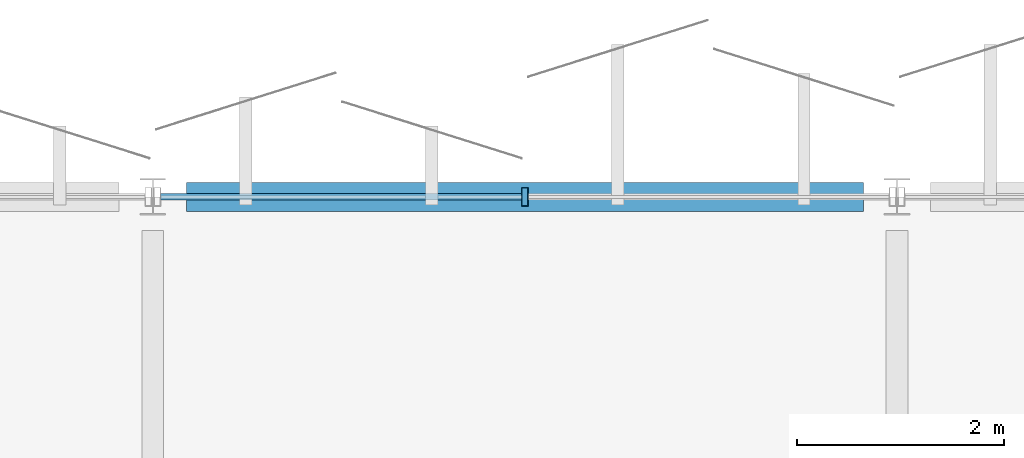
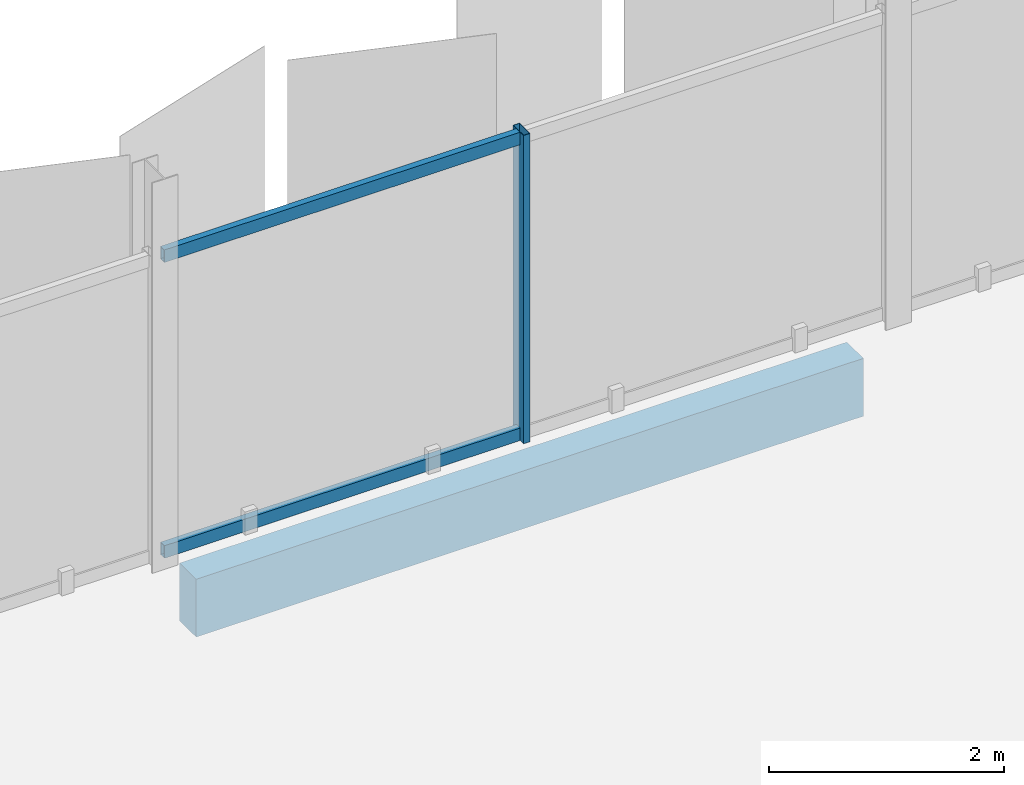
# One storey, part 35 of 91: 3 members, 1 beam, 1 element without a shape of its own.
"""IFC4 building model written with IfcOpenShell, lengths in metres."""

from ifc_helpers import new_model, si_unit, direction, frame, origin, origin_2d, place, context, subcontext, project, spatial, rectangle, hollow_rectangle, extrude, material, layer, layer_set, material_profile, profile_set, type_object, element, aggregate, save


model = new_model("IFC4")

# Units and contexts
model_context = context("Model", 3, precision=1e-05, world=origin(), true_north=direction((0.0, 1.0)))
body_context = subcontext(model_context, "Body", "Model", "MODEL_VIEW")
ifc_project = project(units=[si_unit("LENGTHUNIT", "METRE"), si_unit("AREAUNIT", "SQUARE_METRE"), si_unit("VOLUMEUNIT", "CUBIC_METRE"), si_unit("PLANEANGLEUNIT", "RADIAN"), si_unit("MASSUNIT", "GRAM", prefix="KILO")], contexts=[model_context])

# Site, building, storey
site_placement = place(None, origin())
site = spatial("IfcSite", under=ifc_project, at=site_placement, CompositionType="ELEMENT")
building_placement = place(site_placement, origin())
building = spatial("IfcBuilding", under=site, at=building_placement, Name="Kangsadwip Square Police Headquarters", CompositionType="ELEMENT")
storey_placement = place(building_placement, frame((0.0, 0.0, 13.5)))
storey = spatial("IfcBuildingStorey", under=building, at=storey_placement, Name="L03", CompositionType="ELEMENT", Elevation=13.5)

# Curtain wall, members
ifc_material_1 = material(Name="Thermally broken anodised aluminium AW-6063-T6", Category="aluminium")
ifc_layer = layer(ifc_material_1, 0.159912109375)
ifc_layer_set = layer_set([ifc_layer], Name="Thermally broken anodised aluminium AW-6063-T6")
curtain_wall_type = type_object("IfcCurtainWallType", Name="UnitisedCw7180x3200", PredefinedType="NOTDEFINED", material=ifc_layer_set)
curtain_wall_placement = place(storey_placement, origin())
curtain_wall = element("IfcCurtainWall", 1, at=curtain_wall_placement, inside=storey, type_object=curtain_wall_type, Name="Curtain Wall CW-L03-1224-1152", PredefinedType="NOTDEFINED")
ifc_material_2 = material(Name="Thermally broken anodised aluminium AW-6063-T6", Category="aluminium")
ifc_material_profile_1 = material_profile(ifc_material_2, hollow_rectangle(XDim=0.06494140625, YDim=0.179931640625, WallThickness=0.00390625, at=origin_2d()), Name="CWM 180X65X4")
ifc_profile_set_1 = profile_set([ifc_material_profile_1], Name="Thermally broken anodised aluminium AW-6063-T6")
member_type_1 = type_object("IfcMemberType", Name="CwMullion160x65", PredefinedType="MULLION", material=ifc_profile_set_1)
member_1_placement = place(storey_placement, frame((126.0, 115.199951171875, 0.0), z_axis=(0.0, 0.0, 1.0), x_axis=(1.0, 0.0, 0.0)))
member_1 = element("IfcMember", 2, at=member_1_placement, type_object=member_type_1, Name="CW-38 mullion 2", PredefinedType="MULLION", context=body_context, shape_type="SweptSolid", body=[
    extrude(hollow_rectangle(XDim=0.06494140625, YDim=0.179931640625, WallThickness=0.00390625, at=origin_2d()), origin(), (0.0, 0.0, 1.0), 3.199951171875),
])
ifc_material_3 = material(Name="Thermally broken anodised aluminium AW-6063-T6", Category="aluminium")
ifc_material_profile_2 = material_profile(ifc_material_3, hollow_rectangle(XDim=0.06494140625, YDim=0.1298828125, WallThickness=0.00390625, at=origin_2d()), Name="CWT 130X65X4")
ifc_profile_set_2 = profile_set([ifc_material_profile_2], Name="Thermally broken anodised aluminium AW-6063-T6")
member_type_2 = type_object("IfcMemberType", Name="CwTransom140x60", PredefinedType="USERDEFINED", material=ifc_profile_set_2)
member_2_placement = place(storey_placement, frame((122.47509765625, 115.199951171875, 0.06494140625), z_axis=(1.0, 0.0, 0.0), x_axis=(0.0, 1.0, 0.0)))
member_2 = element("IfcMember", 3, at=member_2_placement, type_object=member_type_2, Name="CW-38 transom 1.1", ObjectType="TRANSOM", PredefinedType="USERDEFINED", context=body_context, shape_type="SweptSolid", body=[
    extrude(hollow_rectangle(XDim=0.06494140625, YDim=0.1298828125, WallThickness=0.00390625, at=origin_2d()), origin(), (0.0, 0.0, 1.0), 3.492431640625),
])
member_3_placement = place(storey_placement, frame((122.47509765625, 115.199951171875, 3.135009765625), z_axis=(1.0, 0.0, 0.0), x_axis=(0.0, 1.0, 0.0)))
member_3 = element("IfcMember", 4, at=member_3_placement, type_object=member_type_2, Name="CW-38 transom 1.2", ObjectType="TRANSOM", PredefinedType="USERDEFINED", context=body_context, shape_type="SweptSolid", body=[
    extrude(hollow_rectangle(XDim=0.06494140625, YDim=0.1298828125, WallThickness=0.00390625, at=origin_2d()), origin(), (0.0, 0.0, 1.0), 3.492431640625),
])
aggregate(curtain_wall, [member_1, member_2, member_3])

# Beam
ifc_material_4 = material(Name="Concrete M40 (40 MPa)", Category="concrete")
ifc_material_profile_3 = material_profile(ifc_material_4, rectangle(XDim=0.280029296875, YDim=0.60009765625, at=origin_2d()), Name="RC SPN 600X280")
ifc_profile_set_3 = profile_set([ifc_material_profile_3], Name="Concrete M40 (40 MPa)")
beam_type = type_object("IfcBeamType", Name="RcSpandrel600x280", PredefinedType="SPANDREL", material=ifc_profile_set_3)
beam_placement = place(storey_placement, frame((122.72509765625, 115.199951171875, -0.5400390625), z_axis=(1.0, 0.0, 0.0), x_axis=(0.0, 1.0, 0.0)))
element("IfcBeam", 5, at=beam_placement, inside=storey, type_object=beam_type, Name="Beam BM-L03-X-17-16", PredefinedType="SPANDREL", context=body_context, shape_type="SweptSolid", body=[
    extrude(rectangle(XDim=0.280029296875, YDim=0.60009765625, at=origin_2d()), origin(), (0.0, 0.0, 1.0), 6.5498046875),
])

save(model, "model.ifc")
